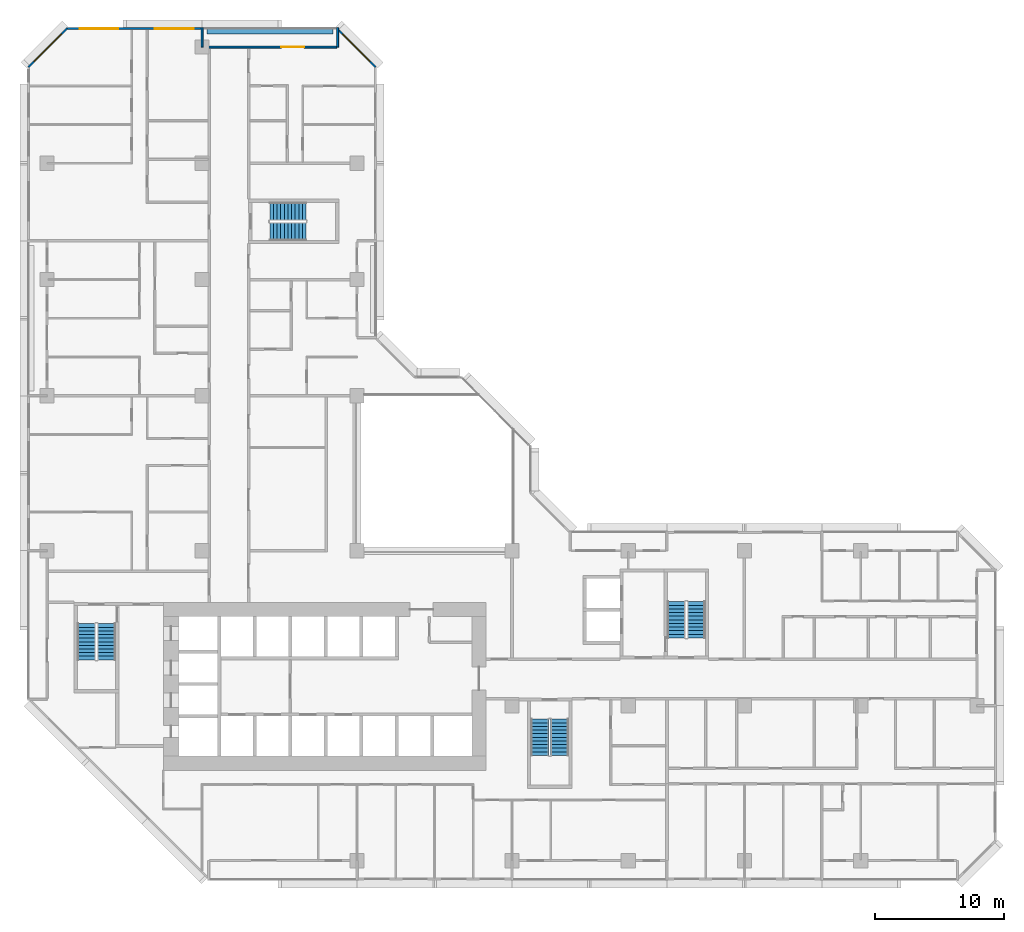
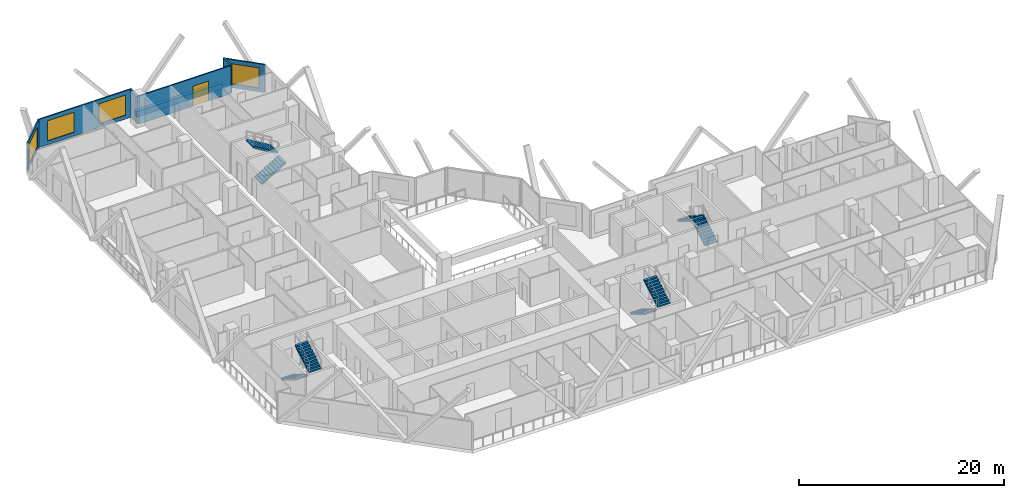
# One storey, part 14 of 16: 8 stair flights, 7 walls, 4 windows, 1 door, 5 openings, 4 elements without a shape of their own.
"""IFC4 building model written with IfcOpenShell, lengths in metres."""

from ifc_helpers import new_model, si_unit, direction, frame, frame_2d, origin, place, context, subcontext, project, spatial, polyline, rectangle, outline, extrude, material, layer, layer_set, type_object, element, fill, aggregate, save


model = new_model("IFC4")

# Units and contexts
model_context = context("Model", 3, precision=1e-05, world=origin(), true_north=direction((0.0, 1.0)))
body_context = subcontext(model_context, "Body", "Model", "MODEL_VIEW")
ifc_project = project(units=[si_unit("LENGTHUNIT", "METRE"), si_unit("AREAUNIT", "SQUARE_METRE"), si_unit("VOLUMEUNIT", "CUBIC_METRE"), si_unit("PLANEANGLEUNIT", "RADIAN"), si_unit("MASSUNIT", "GRAM", prefix="KILO")], contexts=[model_context])

# Site, building, storey
site_placement = place(None, origin())
site = spatial("IfcSite", under=ifc_project, at=site_placement, CompositionType="ELEMENT")
building_placement = place(site_placement, origin())
building = spatial("IfcBuilding", under=site, at=building_placement, Name="Chenar Terraces", CompositionType="ELEMENT")
storey_placement = place(building_placement, frame((0.0, 0.0, 71.39990234375)))
storey = spatial("IfcBuildingStorey", under=building, at=storey_placement, Name="L15", CompositionType="ELEMENT", Elevation=71.39990234375)

# Wall, openings, windows
ifc_material_1 = material(Name="Aluminium framed glazing", Category="aluminium")
ifc_layer_1 = layer(ifc_material_1, 0.14990234375)
ifc_layer_set_1 = layer_set([ifc_layer_1], Name="Aluminium framed glazing")
wall_type_1 = type_object("IfcWallType", Name="Glazed flush facade wall 150", PredefinedType="SOLIDWALL", material=ifc_layer_set_1)
wall_1_placement = place(storey_placement, frame((11.925048828125, 64.425048828125, 0.0), z_axis=(0.0, 0.0, 1.0), x_axis=(-1.0, 0.0, 0.0)))
wall_1 = element("IfcWall", 1, at=wall_1_placement, inside=storey, type_object=wall_type_1, Name="Glazed flush facade wall", PredefinedType="SOLIDWALL", context=body_context, shape_type="SweptSolid", body=[
    extrude(rectangle(XDim=10.425048828125, YDim=0.14990234375, at=frame_2d((5.21240234375, 0.0))), origin(), (0.0, 0.0, 1.0), 3.35009765625),
])
opening_1_placement = place(wall_1_placement, frame((0.58740234375, 0.0, 0.449951171875)))
opening_1 = element("IfcOpeningElement", 2, at=opening_1_placement, cuts=wall_1, Name="Opening W300x240", PredefinedType="OPENING", context=body_context, shape_type="SweptSolid", body=[
    extrude(rectangle(XDim=3.0, YDim=2.39990234375, at=frame_2d((1.5, 1.199951171875))), frame((0.0, 0.0849609375, 0.0), z_axis=(0.0, -1.0, 0.0), x_axis=(1.0, 0.0, 0.0)), (0.0, 0.0, 1.0), 0.169921875),
])
opening_2_placement = place(wall_1_placement, frame((6.39990234375, 0.0, 0.449951171875)))
opening_2 = element("IfcOpeningElement", 3, at=opening_2_placement, cuts=wall_1, Name="Opening W300x240", PredefinedType="OPENING", context=body_context, shape_type="SweptSolid", body=[
    extrude(rectangle(XDim=3.0, YDim=2.39990234375, at=frame_2d((1.5, 1.199951171875))), frame((0.0, 0.0849609375, 0.0), z_axis=(0.0, -1.0, 0.0), x_axis=(1.0, 0.0, 0.0)), (0.0, 0.0, 1.0), 0.169921875),
])
ifc_material_2 = material(Name="Low emissivity double glazing, aluminium frame", Category="aluminium")
window_type = type_object("IfcWindowType", Name="Fixed light 3000 x 2400", PartitioningType="SINGLE_PANEL", PredefinedType="WINDOW", material=ifc_material_2)
window_1_placement = place(opening_1_placement, origin())
window_1 = element("IfcWindow", 4, at=window_1_placement, inside=storey, type_object=window_type, Name="Window", OverallHeight=2.39990234375, OverallWidth=3.0, PartitioningType="SINGLE_PANEL", PredefinedType="WINDOW", context=body_context, shape_type="SweptSolid", body=[
    extrude(rectangle(XDim=3.0, YDim=2.39990234375, at=frame_2d((1.5, 1.199951171875))), frame((0.0, 0.030029296875, 0.0), z_axis=(0.0, -1.0, 0.0), x_axis=(1.0, 0.0, 0.0)), (0.0, 0.0, 1.0), 0.06005859375),
])
fill(opening_1, window_1)
window_2_placement = place(opening_2_placement, origin())
window_2 = element("IfcWindow", 5, at=window_2_placement, inside=storey, type_object=window_type, Name="Window", OverallHeight=2.39990234375, OverallWidth=3.0, PartitioningType="SINGLE_PANEL", PredefinedType="WINDOW", context=body_context, shape_type="SweptSolid", body=[
    extrude(rectangle(XDim=3.0, YDim=2.39990234375, at=frame_2d((1.5, 1.199951171875))), frame((0.0, 0.030029296875, 0.0), z_axis=(0.0, -1.0, 0.0), x_axis=(1.0, 0.0, 0.0)), (0.0, 0.0, 1.0), 0.06005859375),
])
fill(opening_2, window_2)

# Wall, opening, door
ifc_material_3 = material(Name="Aluminium framed glazing", Category="aluminium")
ifc_layer_2 = layer(ifc_material_3, 0.14990234375)
ifc_layer_set_2 = layer_set([ifc_layer_2], Name="Aluminium framed glazing")
wall_type_2 = type_object("IfcWallType", Name="Glazed loggia back wall 150", PredefinedType="SOLIDWALL", material=ifc_layer_set_2)
wall_2_placement = place(storey_placement, frame((22.425048828125, 63.0, 0.0), z_axis=(0.0, 0.0, 1.0), x_axis=(-1.0, 0.0, 0.0)))
wall_2 = element("IfcWall", 6, at=wall_2_placement, inside=storey, type_object=wall_type_2, Name="Glazed loggia back wall", PredefinedType="SOLIDWALL", context=body_context, shape_type="SweptSolid", body=[
    extrude(rectangle(XDim=10.35009765625, YDim=0.14990234375, at=frame_2d((5.175048828125, 0.0))), origin(), (0.0, 0.0, 1.0), 3.35009765625),
])
opening_3_placement = place(wall_2_placement, frame((2.512451171875, 0.0, 0.0)))
opening_3 = element("IfcOpeningElement", 7, at=opening_3_placement, cuts=wall_2, Name="Opening DL15-G2", PredefinedType="OPENING", context=body_context, shape_type="SweptSolid", body=[
    extrude(rectangle(XDim=1.800048828125, YDim=2.39990234375, at=frame_2d((0.89990234375, 1.199951171875))), frame((0.0, 0.0849609375, 0.0), z_axis=(0.0, -1.0, 0.0), x_axis=(1.0, 0.0, 0.0)), (0.0, 0.0, 1.0), 0.169921875),
])
ifc_material_4 = material(Name="Low emissivity double glazing, aluminium frame", Category="aluminium")
door_type = type_object("IfcDoorType", Name="Loggia glazed double door 1800 x 2400", OperationType="DOUBLE_DOOR_SINGLE_SWING", PredefinedType="DOOR", material=ifc_material_4)
door_placement = place(opening_3_placement, frame((1.800048828125, 0.0, 0.0), z_axis=(0.0, 0.0, 1.0), x_axis=(-1.0, 0.0, 0.0)))
door = element("IfcDoor", 8, at=door_placement, inside=storey, type_object=door_type, Name="Loggia glazed door", OperationType="DOUBLE_DOOR_SINGLE_SWING", OverallHeight=2.39990234375, OverallWidth=1.800048828125, PredefinedType="DOOR", context=body_context, shape_type="SweptSolid", body=[
    extrude(rectangle(XDim=1.800048828125, YDim=2.39990234375, at=frame_2d((0.89990234375, 1.199951171875))), frame((0.0, 0.02490234375, 0.0), z_axis=(0.0, -1.0, 0.0), x_axis=(1.0, 0.0, 0.0)), (0.0, 0.0, 1.0), 0.050048828125),
])
fill(opening_3, door)

# Walls
ifc_material_5 = material(Name="Terracotta cladding on insulated backing", Category="masonry")
ifc_layer_3 = layer(ifc_material_5, 0.14990234375)
ifc_layer_set_3 = layer_set([ifc_layer_3], Name="Terracotta cladding on insulated backing")
wall_type_3 = type_object("IfcWallType", Name="Loggia return wall 150", PredefinedType="SOLIDWALL", material=ifc_layer_set_3)
for number, where, z_axis, x_axis, name in (
    (9, (22.5, 64.5, 0.0), (0.0, 0.0, 1.0), (0.0, -1.0, 0.0), "Loggia return wall"),
    (10, (12.0, 64.5, 0.0), (0.0, 0.0, 1.0), (0.0, -1.0, 0.0), "Loggia return wall"),
):
    element("IfcWall", number, at=place(storey_placement, frame(where, z_axis=z_axis, x_axis=x_axis)), inside=storey, type_object=wall_type_3, Name=name, PredefinedType="SOLIDWALL", context=body_context, shape_type="SweptSolid", body=[
        extrude(rectangle(XDim=1.5, YDim=0.14990234375, at=frame_2d((0.75, 0.0))), origin(), (0.0, 0.0, 1.0), 3.35009765625),
    ])

# Wall, opening, window
ifc_material_6 = material(Name="Terracotta cladding on insulated backing", Category="masonry")
ifc_layer_4 = layer(ifc_material_6, 0.14990234375)
ifc_layer_set_4 = layer_set([ifc_layer_4], Name="Terracotta cladding on insulated backing")
wall_type_4 = type_object("IfcWallType", Name="Terracotta rainscreen wall 150", PredefinedType="SOLIDWALL", material=ifc_layer_set_4)
wall_3_placement = place(storey_placement, frame((25.447021484375, 61.447021484375, 0.0), z_axis=(0.0, 0.0, 1.0), x_axis=(-0.707106781187, 0.707106781187, 0.0)))
wall_3 = element("IfcWall", 11, at=wall_3_placement, inside=storey, type_object=wall_type_4, Name="Terracotta rainscreen wall", PredefinedType="SOLIDWALL", context=body_context, shape_type="SweptSolid", body=[
    extrude(rectangle(XDim=4.24267578125, YDim=0.14990234375, at=frame_2d((2.121337890625, 0.0))), origin(), (0.0, 0.0, 1.0), 3.35009765625),
])
opening_4_placement = place(wall_3_placement, frame((0.621337890625, 0.0, 0.449951171875)))
opening_4 = element("IfcOpeningElement", 12, at=opening_4_placement, cuts=wall_3, Name="Opening W300x240", PredefinedType="OPENING", context=body_context, shape_type="SweptSolid", body=[
    extrude(rectangle(XDim=3.0, YDim=2.39990234375, at=frame_2d((1.5, 1.199951171875))), frame((0.0, 0.0849609375, 0.0), z_axis=(0.0, -1.0, 0.0), x_axis=(1.0, 0.0, 0.0)), (0.0, 0.0, 1.0), 0.169921875),
])
window_3_placement = place(opening_4_placement, origin())
window_3 = element("IfcWindow", 13, at=window_3_placement, inside=storey, type_object=window_type, Name="Window", OverallHeight=2.39990234375, OverallWidth=3.0, PartitioningType="SINGLE_PANEL", PredefinedType="WINDOW", context=body_context, shape_type="SweptSolid", body=[
    extrude(rectangle(XDim=3.0, YDim=2.39990234375, at=frame_2d((1.5, 1.199951171875))), frame((0.0, 0.030029296875, 0.0), z_axis=(0.0, -1.0, 0.0), x_axis=(1.0, 0.0, 0.0)), (0.0, 0.0, 1.0), 0.06005859375),
])
fill(opening_4, window_3)

wall_4_placement = place(storey_placement, frame((1.552978515625, 64.447021484375, 0.0), z_axis=(0.0, 0.0, 1.0), x_axis=(-0.707106781187, -0.707106781187, 0.0)))
wall_4 = element("IfcWall", 14, at=wall_4_placement, inside=storey, type_object=wall_type_4, Name="Terracotta rainscreen wall", PredefinedType="SOLIDWALL", context=body_context, shape_type="SweptSolid", body=[
    extrude(rectangle(XDim=4.24267578125, YDim=0.14990234375, at=frame_2d((2.121337890625, 0.0))), origin(), (0.0, 0.0, 1.0), 3.35009765625),
])
opening_5_placement = place(wall_4_placement, frame((0.621337890625, 0.0, 0.449951171875)))
opening_5 = element("IfcOpeningElement", 15, at=opening_5_placement, cuts=wall_4, Name="Opening W300x240", PredefinedType="OPENING", context=body_context, shape_type="SweptSolid", body=[
    extrude(rectangle(XDim=3.0, YDim=2.39990234375, at=frame_2d((1.5, 1.199951171875))), frame((0.0, 0.0849609375, 0.0), z_axis=(0.0, -1.0, 0.0), x_axis=(1.0, 0.0, 0.0)), (0.0, 0.0, 1.0), 0.169921875),
])
window_4_placement = place(opening_5_placement, origin())
window_4 = element("IfcWindow", 16, at=window_4_placement, inside=storey, type_object=window_type, Name="Window", OverallHeight=2.39990234375, OverallWidth=3.0, PartitioningType="SINGLE_PANEL", PredefinedType="WINDOW", context=body_context, shape_type="SweptSolid", body=[
    extrude(rectangle(XDim=3.0, YDim=2.39990234375, at=frame_2d((1.5, 1.199951171875))), frame((0.0, 0.030029296875, 0.0), z_axis=(0.0, -1.0, 0.0), x_axis=(1.0, 0.0, 0.0)), (0.0, 0.0, 1.0), 0.06005859375),
])
fill(opening_5, window_4)

# Wall
ifc_material_7 = material(Name="GRP planter trough")
ifc_layer_5 = layer(ifc_material_7, 0.39990234375)
ifc_layer_set_5 = layer_set([ifc_layer_5], Name="GRP planter trough")
wall_type_5 = type_object("IfcWallType", Name="Vertical greenery planter 400", PredefinedType="SOLIDWALL", material=ifc_layer_set_5)
wall_5_placement = place(storey_placement, frame((22.125, 64.22900390625, 0.0), z_axis=(0.0, 0.0, 1.0), x_axis=(-1.0, 0.0, 0.0)))
element("IfcWall", 17, at=wall_5_placement, inside=storey, type_object=wall_type_5, Name="Vertical greenery planter", PredefinedType="SOLIDWALL", context=body_context, shape_type="SweptSolid", body=[
    extrude(rectangle(XDim=9.75, YDim=0.39990234375, at=frame_2d((4.875, 0.0))), origin(), (0.0, 0.0, 1.0), 0.7001953125),
])

# Stair, stair flights
ifc_material_8 = material(Name="Reinforced concrete C40/50", Category="concrete")
stair_type = type_object("IfcStairType", Name="Core stair 1400 half-turn", PredefinedType="HALF_TURN_STAIR", material=ifc_material_8)
placement = place(storey_placement, origin())
stair_1 = element("IfcStair", 18, at=placement, inside=storey, type_object=stair_type, Name="L15 Stair 1", PredefinedType="HALF_TURN_STAIR")
ifc_material_9 = material(Name="Reinforced concrete C40/50", Category="concrete")
stair_flight_type = type_object("IfcStairFlightType", Name="Core stair flight 1400", PredefinedType="STRAIGHT", material=ifc_material_9)
stair_flight_1_placement = place(storey_placement, frame((3.050048828125, 18.35009765625, 0.0), z_axis=(0.0, 0.0, 1.0), x_axis=(0.0, -1.0, 0.0)))
stair_flight_1 = element("IfcStairFlight", 19, at=stair_flight_1_placement, type_object=stair_flight_type, Name="ST1 flight 1", NumberOfRisers=11, NumberOfTreads=10, PredefinedType="STRAIGHT", RiserHeight=0.170454545, TreadLength=0.28, context=body_context, shape_type="SweptSolid", body=[
    extrude(outline(polyline([(-0.0029296875, 0.0), (-0.0029296875, 0.17041015625), (0.0, 0.17041015625), (0.280029296875, 0.17041015625), (0.280029296875, 0.3408203125), (0.56005859375, 0.3408203125), (0.56005859375, 0.511474609375), (0.840087890625, 0.511474609375), (0.840087890625, 0.681884765625), (1.1201171875, 0.681884765625), (1.1201171875, 0.852294921875), (1.39990234375, 0.852294921875), (1.39990234375, 1.022705078125), (1.679931640625, 1.022705078125), (1.679931640625, 1.193115234375), (1.9599609375, 1.193115234375), (1.9599609375, 1.363525390625), (2.239990234375, 1.363525390625), (2.239990234375, 1.5341796875), (2.52001953125, 1.5341796875), (2.52001953125, 1.70458984375), (2.800048828125, 1.70458984375), (2.802978515625, 1.70458984375), (2.802978515625, 1.529052734375), (2.800048828125, 1.529052734375), (0.288330078125, 0.0), (-0.0029296875, 0.0)])), frame((0.0, 0.699951171875, 0.0), z_axis=(0.0, -1.0, 0.0), x_axis=(1.0, 0.0, 0.0)), (0.0, 0.0, 1.0), 1.39990234375),
])
stair_flight_2_placement = place(storey_placement, frame((4.60009765625, 15.550048828125, 1.875), z_axis=(0.0, 0.0, 1.0), x_axis=(0.0, 1.0, 0.0)))
stair_flight_2 = element("IfcStairFlight", 20, at=stair_flight_2_placement, type_object=stair_flight_type, Name="ST1 flight 2", NumberOfRisers=11, NumberOfTreads=10, PredefinedType="STRAIGHT", RiserHeight=0.170454545, TreadLength=0.28, context=body_context, shape_type="SweptSolid", body=[
    extrude(outline(polyline([(-0.0029296875, 0.0), (-0.0029296875, 0.17041015625), (0.0, 0.17041015625), (0.280029296875, 0.17041015625), (0.280029296875, 0.3408203125), (0.56005859375, 0.3408203125), (0.56005859375, 0.511474609375), (0.840087890625, 0.511474609375), (0.840087890625, 0.681884765625), (1.1201171875, 0.681884765625), (1.1201171875, 0.852294921875), (1.39990234375, 0.852294921875), (1.39990234375, 1.022705078125), (1.679931640625, 1.022705078125), (1.679931640625, 1.193115234375), (1.9599609375, 1.193115234375), (1.9599609375, 1.363525390625), (2.239990234375, 1.363525390625), (2.239990234375, 1.5341796875), (2.52001953125, 1.5341796875), (2.52001953125, 1.70458984375), (2.800048828125, 1.70458984375), (2.802978515625, 1.70458984375), (2.802978515625, 1.529052734375), (2.800048828125, 1.529052734375), (0.288330078125, 0.0), (-0.0029296875, 0.0)])), frame((0.0, 0.699951171875, 0.0), z_axis=(0.0, -1.0, 0.0), x_axis=(1.0, 0.0, 0.0)), (0.0, 0.0, 1.0), 1.39990234375),
])
aggregate(stair_1, [stair_flight_1, stair_flight_2])

stair_2 = element("IfcStair", 21, at=placement, inside=storey, type_object=stair_type, Name="L15 Stair 2", PredefinedType="HALF_TURN_STAIR")
stair_flight_3_placement = place(storey_placement, frame((38.14990234375, 10.949951171875, 0.0), z_axis=(0.0, 0.0, 1.0), x_axis=(0.0, -1.0, 0.0)))
stair_flight_3 = element("IfcStairFlight", 22, at=stair_flight_3_placement, type_object=stair_flight_type, Name="ST2 flight 1", NumberOfRisers=11, NumberOfTreads=10, PredefinedType="STRAIGHT", RiserHeight=0.170454545, TreadLength=0.28, context=body_context, shape_type="SweptSolid", body=[
    extrude(outline(polyline([(-0.0029296875, 0.0), (-0.0029296875, 0.17041015625), (0.0, 0.17041015625), (0.280029296875, 0.17041015625), (0.280029296875, 0.3408203125), (0.56005859375, 0.3408203125), (0.56005859375, 0.511474609375), (0.840087890625, 0.511474609375), (0.840087890625, 0.681884765625), (1.1201171875, 0.681884765625), (1.1201171875, 0.852294921875), (1.39990234375, 0.852294921875), (1.39990234375, 1.022705078125), (1.679931640625, 1.022705078125), (1.679931640625, 1.193115234375), (1.9599609375, 1.193115234375), (1.9599609375, 1.363525390625), (2.239990234375, 1.363525390625), (2.239990234375, 1.5341796875), (2.52001953125, 1.5341796875), (2.52001953125, 1.70458984375), (2.800048828125, 1.70458984375), (2.802978515625, 1.70458984375), (2.802978515625, 1.529052734375), (2.800048828125, 1.529052734375), (0.288330078125, 0.0), (-0.0029296875, 0.0)])), frame((0.0, 0.699951171875, 0.0), z_axis=(0.0, -1.0, 0.0), x_axis=(1.0, 0.0, 0.0)), (0.0, 0.0, 1.0), 1.39990234375),
])
stair_flight_4_placement = place(storey_placement, frame((39.699951171875, 8.14990234375, 1.875), z_axis=(0.0, 0.0, 1.0), x_axis=(0.0, 1.0, 0.0)))
stair_flight_4 = element("IfcStairFlight", 23, at=stair_flight_4_placement, type_object=stair_flight_type, Name="ST2 flight 2", NumberOfRisers=11, NumberOfTreads=10, PredefinedType="STRAIGHT", RiserHeight=0.170454545, TreadLength=0.28, context=body_context, shape_type="SweptSolid", body=[
    extrude(outline(polyline([(-0.0029296875, 0.0), (-0.0029296875, 0.17041015625), (0.0, 0.17041015625), (0.280029296875, 0.17041015625), (0.280029296875, 0.3408203125), (0.56005859375, 0.3408203125), (0.56005859375, 0.511474609375), (0.840087890625, 0.511474609375), (0.840087890625, 0.681884765625), (1.1201171875, 0.681884765625), (1.1201171875, 0.852294921875), (1.39990234375, 0.852294921875), (1.39990234375, 1.022705078125), (1.679931640625, 1.022705078125), (1.679931640625, 1.193115234375), (1.9599609375, 1.193115234375), (1.9599609375, 1.363525390625), (2.239990234375, 1.363525390625), (2.239990234375, 1.5341796875), (2.52001953125, 1.5341796875), (2.52001953125, 1.70458984375), (2.800048828125, 1.70458984375), (2.802978515625, 1.70458984375), (2.802978515625, 1.529052734375), (2.800048828125, 1.529052734375), (0.288330078125, 0.0), (-0.0029296875, 0.0)])), frame((0.0, 0.699951171875, 0.0), z_axis=(0.0, -1.0, 0.0), x_axis=(1.0, 0.0, 0.0)), (0.0, 0.0, 1.0), 1.39990234375),
])
aggregate(stair_2, [stair_flight_3, stair_flight_4])

stair_3 = element("IfcStair", 24, at=placement, inside=storey, type_object=stair_type, Name="L15 Stair 3", PredefinedType="HALF_TURN_STAIR")
stair_flight_5_placement = place(storey_placement, frame((50.27490234375, 17.25, 0.0), z_axis=(0.0, 0.0, 1.0), x_axis=(0.0, 1.0, 0.0)))
stair_flight_5 = element("IfcStairFlight", 25, at=stair_flight_5_placement, type_object=stair_flight_type, Name="ST3 flight 1", NumberOfRisers=11, NumberOfTreads=10, PredefinedType="STRAIGHT", RiserHeight=0.170454545, TreadLength=0.28, context=body_context, shape_type="SweptSolid", body=[
    extrude(outline(polyline([(-0.0029296875, 0.0), (-0.0029296875, 0.17041015625), (0.0, 0.17041015625), (0.280029296875, 0.17041015625), (0.280029296875, 0.3408203125), (0.56005859375, 0.3408203125), (0.56005859375, 0.511474609375), (0.840087890625, 0.511474609375), (0.840087890625, 0.681884765625), (1.1201171875, 0.681884765625), (1.1201171875, 0.852294921875), (1.39990234375, 0.852294921875), (1.39990234375, 1.022705078125), (1.679931640625, 1.022705078125), (1.679931640625, 1.193115234375), (1.9599609375, 1.193115234375), (1.9599609375, 1.363525390625), (2.239990234375, 1.363525390625), (2.239990234375, 1.5341796875), (2.52001953125, 1.5341796875), (2.52001953125, 1.70458984375), (2.800048828125, 1.70458984375), (2.802978515625, 1.70458984375), (2.802978515625, 1.529052734375), (2.800048828125, 1.529052734375), (0.288330078125, 0.0), (-0.0029296875, 0.0)])), frame((0.0, 0.699951171875, 0.0), z_axis=(0.0, -1.0, 0.0), x_axis=(1.0, 0.0, 0.0)), (0.0, 0.0, 1.0), 1.39990234375),
])
stair_flight_6_placement = place(storey_placement, frame((48.72509765625, 20.050048828125, 1.875), z_axis=(0.0, 0.0, 1.0), x_axis=(0.0, -1.0, 0.0)))
stair_flight_6 = element("IfcStairFlight", 26, at=stair_flight_6_placement, type_object=stair_flight_type, Name="ST3 flight 2", NumberOfRisers=11, NumberOfTreads=10, PredefinedType="STRAIGHT", RiserHeight=0.170454545, TreadLength=0.28, context=body_context, shape_type="SweptSolid", body=[
    extrude(outline(polyline([(-0.0029296875, 0.0), (-0.0029296875, 0.17041015625), (0.0, 0.17041015625), (0.280029296875, 0.17041015625), (0.280029296875, 0.3408203125), (0.56005859375, 0.3408203125), (0.56005859375, 0.511474609375), (0.840087890625, 0.511474609375), (0.840087890625, 0.681884765625), (1.1201171875, 0.681884765625), (1.1201171875, 0.852294921875), (1.39990234375, 0.852294921875), (1.39990234375, 1.022705078125), (1.679931640625, 1.022705078125), (1.679931640625, 1.193115234375), (1.9599609375, 1.193115234375), (1.9599609375, 1.363525390625), (2.239990234375, 1.363525390625), (2.239990234375, 1.5341796875), (2.52001953125, 1.5341796875), (2.52001953125, 1.70458984375), (2.800048828125, 1.70458984375), (2.802978515625, 1.70458984375), (2.802978515625, 1.529052734375), (2.800048828125, 1.529052734375), (0.288330078125, 0.0), (-0.0029296875, 0.0)])), frame((0.0, 0.699951171875, 0.0), z_axis=(0.0, -1.0, 0.0), x_axis=(1.0, 0.0, 0.0)), (0.0, 0.0, 1.0), 1.39990234375),
])
aggregate(stair_3, [stair_flight_5, stair_flight_6])

stair_4 = element("IfcStair", 27, at=placement, inside=storey, type_object=stair_type, Name="L15 Stair 4", PredefinedType="HALF_TURN_STAIR")
stair_flight_7_placement = place(storey_placement, frame((17.25, 48.72509765625, 0.0), z_axis=(0.0, 0.0, 1.0), x_axis=(1.0, 0.0, 0.0)))
stair_flight_7 = element("IfcStairFlight", 28, at=stair_flight_7_placement, type_object=stair_flight_type, Name="ST4 flight 1", NumberOfRisers=11, NumberOfTreads=10, PredefinedType="STRAIGHT", RiserHeight=0.170454545, TreadLength=0.28, context=body_context, shape_type="SweptSolid", body=[
    extrude(outline(polyline([(-0.0029296875, 0.0), (-0.0029296875, 0.17041015625), (0.0, 0.17041015625), (0.280029296875, 0.17041015625), (0.280029296875, 0.3408203125), (0.56005859375, 0.3408203125), (0.56005859375, 0.511474609375), (0.840087890625, 0.511474609375), (0.840087890625, 0.681884765625), (1.1201171875, 0.681884765625), (1.1201171875, 0.852294921875), (1.39990234375, 0.852294921875), (1.39990234375, 1.022705078125), (1.679931640625, 1.022705078125), (1.679931640625, 1.193115234375), (1.9599609375, 1.193115234375), (1.9599609375, 1.363525390625), (2.239990234375, 1.363525390625), (2.239990234375, 1.5341796875), (2.52001953125, 1.5341796875), (2.52001953125, 1.70458984375), (2.800048828125, 1.70458984375), (2.802978515625, 1.70458984375), (2.802978515625, 1.529052734375), (2.800048828125, 1.529052734375), (0.288330078125, 0.0), (-0.0029296875, 0.0)])), frame((0.0, 0.699951171875, 0.0), z_axis=(0.0, -1.0, 0.0), x_axis=(1.0, 0.0, 0.0)), (0.0, 0.0, 1.0), 1.39990234375),
])
stair_flight_8_placement = place(storey_placement, frame((20.050048828125, 50.27490234375, 1.875), z_axis=(0.0, 0.0, 1.0), x_axis=(-1.0, 0.0, 0.0)))
stair_flight_8 = element("IfcStairFlight", 29, at=stair_flight_8_placement, type_object=stair_flight_type, Name="ST4 flight 2", NumberOfRisers=11, NumberOfTreads=10, PredefinedType="STRAIGHT", RiserHeight=0.170454545, TreadLength=0.28, context=body_context, shape_type="SweptSolid", body=[
    extrude(outline(polyline([(-0.0029296875, 0.0), (-0.0029296875, 0.17041015625), (0.0, 0.17041015625), (0.280029296875, 0.17041015625), (0.280029296875, 0.3408203125), (0.56005859375, 0.3408203125), (0.56005859375, 0.511474609375), (0.840087890625, 0.511474609375), (0.840087890625, 0.681884765625), (1.1201171875, 0.681884765625), (1.1201171875, 0.852294921875), (1.39990234375, 0.852294921875), (1.39990234375, 1.022705078125), (1.679931640625, 1.022705078125), (1.679931640625, 1.193115234375), (1.9599609375, 1.193115234375), (1.9599609375, 1.363525390625), (2.239990234375, 1.363525390625), (2.239990234375, 1.5341796875), (2.52001953125, 1.5341796875), (2.52001953125, 1.70458984375), (2.800048828125, 1.70458984375), (2.802978515625, 1.70458984375), (2.802978515625, 1.529052734375), (2.800048828125, 1.529052734375), (0.288330078125, 0.0), (-0.0029296875, 0.0)])), frame((0.0, 0.699951171875, 0.0), z_axis=(0.0, -1.0, 0.0), x_axis=(1.0, 0.0, 0.0)), (0.0, 0.0, 1.0), 1.39990234375),
])
aggregate(stair_4, [stair_flight_7, stair_flight_8])

save(model, "model.ifc")
